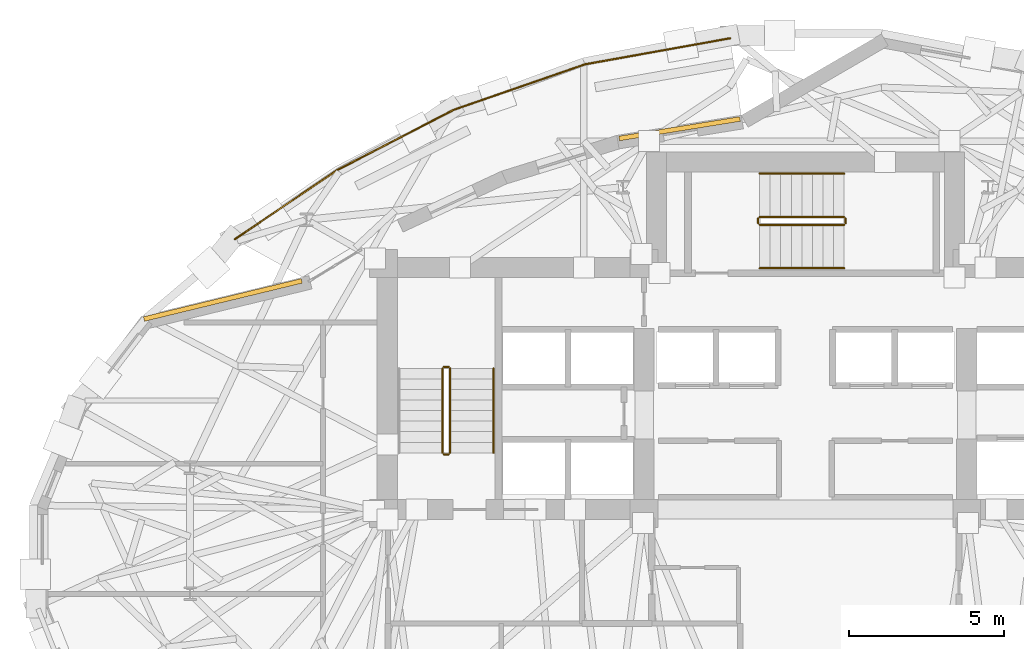
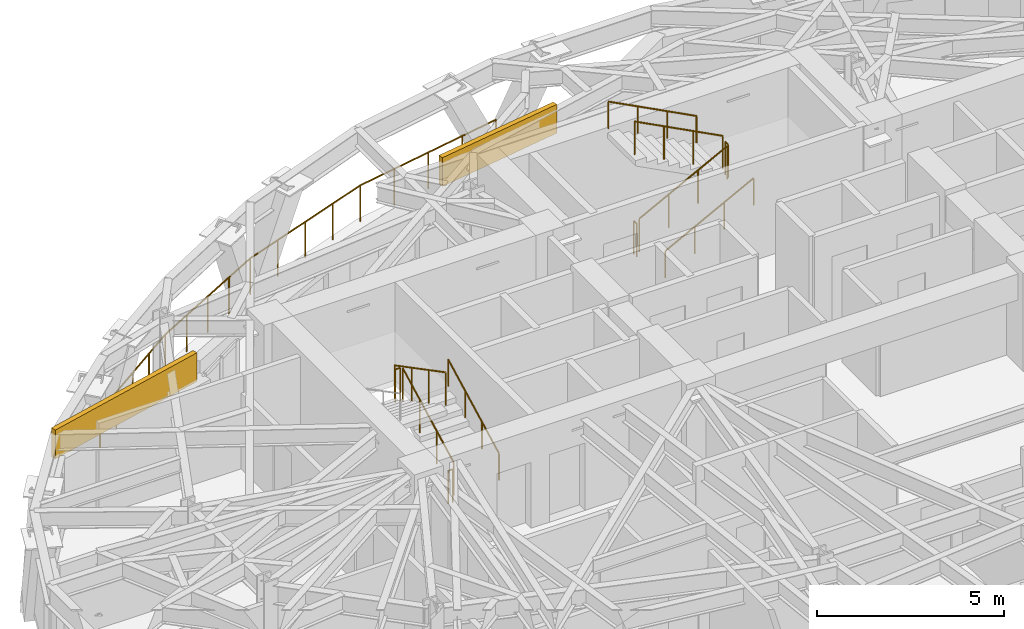
# One storey, part 13 of 14: 12 railings, 2 coverings.
"""IFC4 building model written with IfcOpenShell, lengths in metres."""

from ifc_helpers import new_model, si_unit, direction, frame, origin, origin_2d, place, context, subcontext, project, spatial, rectangle, circle, extrude, material, layer, layer_set, type_object, element, save


model = new_model("IFC4")

# Units and contexts
model_context = context("Model", 3, precision=1e-05, world=origin(), true_north=direction((0.0, 1.0)))
body_context = subcontext(model_context, "Body", "Model", "MODEL_VIEW")
ifc_project = project(units=[si_unit("LENGTHUNIT", "METRE"), si_unit("AREAUNIT", "SQUARE_METRE"), si_unit("VOLUMEUNIT", "CUBIC_METRE"), si_unit("PLANEANGLEUNIT", "RADIAN"), si_unit("MASSUNIT", "GRAM", prefix="KILO")], contexts=[model_context])

# Site, building, storey
site_placement = place(None, origin())
site = spatial("IfcSite", under=ifc_project, at=site_placement, CompositionType="ELEMENT")
building_placement = place(site_placement, origin())
building = spatial("IfcBuilding", under=site, at=building_placement, Name="Keldmark Tower", CompositionType="ELEMENT")
storey_placement = place(building_placement, frame((0.0, 0.0, 175.800048828125)))
storey = spatial("IfcBuildingStorey", under=building, at=storey_placement, Name="L48", CompositionType="ELEMENT", Elevation=175.800048828125)

# Railing
ifc_material_1 = material(Name="DuPont SentryGlas Laminated Glass and Stainless Posts", Category="glass")
railing_type_1 = type_object("IfcRailingType", Name="Heated Laminated Glass Wind-Baffle Guard 1200 mm", PredefinedType="GUARDRAIL", material=ifc_material_1)
railing_1_placement = place(storey_placement, frame((-2.427978515625, 16.711181640625, 0.0)))
element("IfcRailing", 1, at=railing_1_placement, inside=storey, type_object=railing_type_1, Name="L48 Terrace Laminated Glass Wind-Baffle Guard TERR 01", PredefinedType="GUARDRAIL", context=body_context, shape_type="SweptSolid", body=[
    extrude(circle(Radius=0.02392578125, at=origin_2d()), frame((0.0, 0.0, 1.17578125), z_axis=(-0.984266393225, -0.176690880263, 0.0), x_axis=(0.176690880263, -0.984266393225, 0.0)), (0.0, 0.0, 1.0), 4.7490234375),
    extrude(circle(Radius=0.02392578125, at=origin_2d()), frame((-4.67431640625, -0.839111328125, 1.17578125), z_axis=(-0.944742548305, -0.327813235581, 0.0), x_axis=(0.327813235581, -0.944742548305, 0.0)), (0.0, 0.0, 1.0), 4.498291015625),
    extrude(circle(Radius=0.02392578125, at=origin_2d()), frame((-8.924072265625, -2.313720703125, 1.17578125), z_axis=(-0.888036297655, -0.459773350736, 0.0), x_axis=(0.459773350736, -0.888036297655, 0.0)), (0.0, 0.0, 1.0), 4.20703125),
    extrude(circle(Radius=0.02392578125, at=origin_2d()), frame((-12.66015625, -4.248046875, 1.17578125), z_axis=(-0.829052326802, -0.559171028778, 0.0), x_axis=(0.559171028778, -0.829052326802, 0.0)), (0.0, 0.0, 1.0), 3.987548828125),
    extrude(circle(Radius=0.02099609375, at=origin_2d()), origin(), (0.0, 0.0, 1.0), 1.15185546875),
    extrude(circle(Radius=0.02099609375, at=origin_2d()), frame((-1.16845703125, -0.209716796875, 0.0)), (0.0, 0.0, 1.0), 1.15185546875),
    extrude(circle(Radius=0.02099609375, at=origin_2d()), frame((-2.337158203125, -0.41943359375, 0.0)), (0.0, 0.0, 1.0), 1.15185546875),
    extrude(circle(Radius=0.02099609375, at=origin_2d()), frame((-3.505859375, -0.62939453125, 0.0)), (0.0, 0.0, 1.0), 1.15185546875),
    extrude(circle(Radius=0.02099609375, at=origin_2d()), frame((-4.67431640625, -0.839111328125, 0.0)), (0.0, 0.0, 1.0), 1.15185546875),
    extrude(circle(Radius=0.02099609375, at=origin_2d()), frame((-5.73681640625, -1.207763671875, 0.0)), (0.0, 0.0, 1.0), 1.15185546875),
    extrude(circle(Radius=0.02099609375, at=origin_2d()), frame((-6.79931640625, -1.576416015625, 0.0)), (0.0, 0.0, 1.0), 1.15185546875),
    extrude(circle(Radius=0.02099609375, at=origin_2d()), frame((-7.861572265625, -1.945068359375, 0.0)), (0.0, 0.0, 1.0), 1.15185546875),
    extrude(circle(Radius=0.02099609375, at=origin_2d()), frame((-8.924072265625, -2.313720703125, 0.0)), (0.0, 0.0, 1.0), 1.15185546875),
    extrude(circle(Radius=0.02099609375, at=origin_2d()), frame((-9.858154296875, -2.79736328125, 0.0)), (0.0, 0.0, 1.0), 1.15185546875),
    extrude(circle(Radius=0.02099609375, at=origin_2d()), frame((-10.7919921875, -3.28076171875, 0.0)), (0.0, 0.0, 1.0), 1.15185546875),
    extrude(circle(Radius=0.02099609375, at=origin_2d()), frame((-11.72607421875, -3.764404296875, 0.0)), (0.0, 0.0, 1.0), 1.15185546875),
    extrude(circle(Radius=0.02099609375, at=origin_2d()), frame((-12.66015625, -4.248046875, 0.0)), (0.0, 0.0, 1.0), 1.15185546875),
    extrude(circle(Radius=0.02099609375, at=origin_2d()), frame((-13.486572265625, -4.805419921875, 0.0)), (0.0, 0.0, 1.0), 1.15185546875),
    extrude(circle(Radius=0.02099609375, at=origin_2d()), frame((-14.31298828125, -5.36279296875, 0.0)), (0.0, 0.0, 1.0), 1.15185546875),
    extrude(circle(Radius=0.02099609375, at=origin_2d()), frame((-15.1396484375, -5.92041015625, 0.0)), (0.0, 0.0, 1.0), 1.15185546875),
    extrude(circle(Radius=0.02099609375, at=origin_2d()), frame((-15.966064453125, -6.477783203125, 0.0)), (0.0, 0.0, 1.0), 1.15185546875),
])

# Coverings
ifc_material_2 = material(Name="Honed Kasota Buff Dolomitic Limestone", Category="masonry")
ifc_layer = layer(ifc_material_2, 0.074951171875)
ifc_layer_set = layer_set([ifc_layer], Name="Honed Kasota Buff Dolomitic Limestone")
covering_type = type_object("IfcCoveringType", Name="Kasota Buff Limestone Spandrel Cladding Band", PredefinedType="CLADDING", material=ifc_layer_set)
covering_1_placement = place(storey_placement, frame((-4.0546875, 13.79541015625, 2.239013671875), z_axis=(0.0, 0.0, 1.0), x_axis=(-0.987258753922, -0.159123074391, 0.0)))
element("IfcCovering", 2, at=covering_1_placement, inside=storey, type_object=covering_type, Name="L48 Kasota Limestone Spandrel Band 09", PredefinedType="CLADDING", context=body_context, shape_type="SweptSolid", body=[
    extrude(rectangle(XDim=3.941650390625, YDim=0.14990234375, at=origin_2d()), origin(), (0.0, 0.0, 1.0), 0.94091796875),
])
covering_2_placement = place(storey_placement, frame((-18.774658203125, 8.27685546875, 2.239013671875), z_axis=(0.0, 0.0, 1.0), x_axis=(-0.971924052551, -0.235294785478, 0.0)))
element("IfcCovering", 3, at=covering_2_placement, inside=storey, type_object=covering_type, Name="L48 Kasota Limestone Spandrel Band 13", PredefinedType="CLADDING", context=body_context, shape_type="SweptSolid", body=[
    extrude(rectangle(XDim=5.22998046875, YDim=0.14990234375, at=origin_2d()), origin(), (0.0, 0.0, 1.0), 0.94091796875),
])

# Railings
ifc_material_3 = material(Name="Painted Steel ASTM A500 Grade B", Category="steel")
railing_type_2 = type_object("IfcRailingType", Name="Painted Steel Stair Well Guard 1100 mm", PredefinedType="GUARDRAIL", material=ifc_material_3)
railing_2_placement = place(storey_placement, frame((-11.449951171875, 3.35009765625, 0.177734375)))
element("IfcRailing", 4, at=railing_2_placement, inside=storey, type_object=railing_type_2, Name="L48 ST1 stair guard 1", PredefinedType="GUARDRAIL", context=body_context, shape_type="SweptSolid", body=[
    extrude(circle(Radius=0.02392578125, at=origin_2d()), frame((0.0, 0.0, 1.076171875), z_axis=(0.0, 0.886183135912, 0.463335137482), x_axis=(-1.0, 0.0, 0.0)), (0.0, 0.0, 1.0), 3.0693359375),
    extrude(circle(Radius=0.02099609375, at=origin_2d()), origin(), (0.0, 0.0, 1.0), 1.052001953125),
    extrude(circle(Radius=0.02099609375, at=origin_2d()), frame((0.0, 0.90673828125, 0.47412109375)), (0.0, 0.0, 1.0), 1.052001953125),
    extrude(circle(Radius=0.02099609375, at=origin_2d()), frame((0.0, 1.813232421875, 0.947998046875)), (0.0, 0.0, 1.0), 1.052001953125),
    extrude(circle(Radius=0.02099609375, at=origin_2d()), frame((0.0, 2.719970703125, 1.422119140625)), (0.0, 0.0, 1.0), 1.052001953125),
])
railing_3_placement = place(storey_placement, frame((-11.5, 6.1201171875, 1.599853515625)))
element("IfcRailing", 5, at=railing_3_placement, inside=storey, type_object=railing_type_2, Name="L48 ST1 stair guard 2", PredefinedType="GUARDRAIL", context=body_context, shape_type="SweptSolid", body=[
    extrude(circle(Radius=0.02392578125, at=origin_2d()), frame((0.0, 0.0, 1.076171875), z_axis=(-1.0, 0.0, 0.0), x_axis=(0.0, -1.0, 0.0)), (0.0, 0.0, 1.0), 0.14990234375),
    extrude(circle(Radius=0.02099609375, at=origin_2d()), origin(), (0.0, 0.0, 1.0), 1.052001953125),
    extrude(circle(Radius=0.02099609375, at=origin_2d()), frame((-0.14990234375, 0.0, 0.0)), (0.0, 0.0, 1.0), 1.052001953125),
])
railing_4_placement = place(storey_placement, frame((-11.699951171875, 6.070068359375, 1.77783203125)))
element("IfcRailing", 6, at=railing_4_placement, inside=storey, type_object=railing_type_2, Name="L48 ST1 stair guard 3", PredefinedType="GUARDRAIL", context=body_context, shape_type="SweptSolid", body=[
    extrude(circle(Radius=0.02392578125, at=origin_2d()), frame((0.0, 0.0, 1.076171875), z_axis=(0.0, -0.886183135912, 0.463335137482), x_axis=(1.0, 0.0, 0.0)), (0.0, 0.0, 1.0), 3.0693359375),
    extrude(circle(Radius=0.02099609375, at=origin_2d()), origin(), (0.0, 0.0, 1.0), 1.052001953125),
    extrude(circle(Radius=0.02099609375, at=origin_2d()), frame((0.0, -0.90673828125, 0.47412109375)), (0.0, 0.0, 1.0), 1.052001953125),
    extrude(circle(Radius=0.02099609375, at=origin_2d()), frame((0.0, -1.813232421875, 0.947998046875)), (0.0, 0.0, 1.0), 1.052001953125),
    extrude(circle(Radius=0.02099609375, at=origin_2d()), frame((0.0, -2.719970703125, 1.422119140625)), (0.0, 0.0, 1.0), 1.052001953125),
])
railing_5_placement = place(storey_placement, frame((-11.5, 3.300048828125, 0.0)))
element("IfcRailing", 7, at=railing_5_placement, inside=storey, type_object=railing_type_2, Name="L48 ST1 stair guard 4", PredefinedType="GUARDRAIL", context=body_context, shape_type="SweptSolid", body=[
    extrude(circle(Radius=0.02392578125, at=origin_2d()), frame((0.0, 0.0, 1.076171875), z_axis=(-1.0, 0.0, 0.0), x_axis=(0.0, -1.0, 0.0)), (0.0, 0.0, 1.0), 0.14990234375),
    extrude(circle(Radius=0.02099609375, at=origin_2d()), origin(), (0.0, 0.0, 1.0), 1.052001953125),
    extrude(circle(Radius=0.02099609375, at=origin_2d()), frame((-0.14990234375, 0.0, 0.0)), (0.0, 0.0, 1.0), 1.052001953125),
])
railing_6_placement = place(storey_placement, frame((-1.47509765625, 10.699951171875, 0.177734375)))
element("IfcRailing", 8, at=railing_6_placement, inside=storey, type_object=railing_type_2, Name="L48 ST3 stair guard 1", PredefinedType="GUARDRAIL", context=body_context, shape_type="SweptSolid", body=[
    extrude(circle(Radius=0.02392578125, at=origin_2d()), frame((0.0, 0.0, 1.076171875), z_axis=(0.886200210249, 0.0, 0.463302479331), x_axis=(0.0, 1.0, 0.0)), (0.0, 0.0, 1.0), 3.069580078125),
    extrude(circle(Radius=0.02099609375, at=origin_2d()), origin(), (0.0, 0.0, 1.0), 1.052001953125),
    extrude(circle(Radius=0.02099609375, at=origin_2d()), frame((0.90673828125, 0.0, 0.47412109375)), (0.0, 0.0, 1.0), 1.052001953125),
    extrude(circle(Radius=0.02099609375, at=origin_2d()), frame((1.8134765625, 0.0, 0.947998046875)), (0.0, 0.0, 1.0), 1.052001953125),
    extrude(circle(Radius=0.02099609375, at=origin_2d()), frame((2.72021484375, 0.0, 1.422119140625)), (0.0, 0.0, 1.0), 1.052001953125),
])
railing_7_placement = place(storey_placement, frame((1.294921875, 10.75, 1.599853515625)))
element("IfcRailing", 9, at=railing_7_placement, inside=storey, type_object=railing_type_2, Name="L48 ST3 stair guard 2", PredefinedType="GUARDRAIL", context=body_context, shape_type="SweptSolid", body=[
    extrude(circle(Radius=0.02392578125, at=origin_2d()), frame((0.0, 0.0, 1.076171875), z_axis=(0.0, 1.0, 0.0), x_axis=(-1.0, 0.0, 0.0)), (0.0, 0.0, 1.0), 0.14990234375),
    extrude(circle(Radius=0.02099609375, at=origin_2d()), origin(), (0.0, 0.0, 1.0), 1.052001953125),
    extrude(circle(Radius=0.02099609375, at=origin_2d()), frame((0.0, 0.14990234375, 0.0)), (0.0, 0.0, 1.0), 1.052001953125),
])
railing_8_placement = place(storey_placement, frame((1.2451171875, 10.949951171875, 1.77783203125)))
element("IfcRailing", 10, at=railing_8_placement, inside=storey, type_object=railing_type_2, Name="L48 ST3 stair guard 3", PredefinedType="GUARDRAIL", context=body_context, shape_type="SweptSolid", body=[
    extrude(circle(Radius=0.02392578125, at=origin_2d()), frame((0.0, 0.0, 1.076171875), z_axis=(-0.886200210249, 0.0, 0.463302479331), x_axis=(0.0, -1.0, 0.0)), (0.0, 0.0, 1.0), 3.069580078125),
    extrude(circle(Radius=0.02099609375, at=origin_2d()), origin(), (0.0, 0.0, 1.0), 1.052001953125),
    extrude(circle(Radius=0.02099609375, at=origin_2d()), frame((-0.90673828125, 0.0, 0.47412109375)), (0.0, 0.0, 1.0), 1.052001953125),
    extrude(circle(Radius=0.02099609375, at=origin_2d()), frame((-1.8134765625, 0.0, 0.947998046875)), (0.0, 0.0, 1.0), 1.052001953125),
    extrude(circle(Radius=0.02099609375, at=origin_2d()), frame((-2.72021484375, 0.0, 1.422119140625)), (0.0, 0.0, 1.0), 1.052001953125),
])
railing_9_placement = place(storey_placement, frame((-1.52490234375, 10.75, 0.0)))
element("IfcRailing", 11, at=railing_9_placement, inside=storey, type_object=railing_type_2, Name="L48 ST3 stair guard 4", PredefinedType="GUARDRAIL", context=body_context, shape_type="SweptSolid", body=[
    extrude(circle(Radius=0.02392578125, at=origin_2d()), frame((0.0, 0.0, 1.076171875), z_axis=(0.0, 1.0, 0.0), x_axis=(-1.0, 0.0, 0.0)), (0.0, 0.0, 1.0), 0.14990234375),
    extrude(circle(Radius=0.02099609375, at=origin_2d()), origin(), (0.0, 0.0, 1.0), 1.052001953125),
    extrude(circle(Radius=0.02099609375, at=origin_2d()), frame((0.0, 0.14990234375, 0.0)), (0.0, 0.0, 1.0), 1.052001953125),
])
ifc_material_4 = material(Name="Stainless Steel AISI 316L", Category="steel")
railing_type_3 = type_object("IfcRailingType", Name="Stainless Steel Stair Handrail 900 mm", PredefinedType="HANDRAIL", material=ifc_material_4)
railing_10_placement = place(storey_placement, frame((-10.050048828125, 3.35009765625, 0.177734375)))
element("IfcRailing", 12, at=railing_10_placement, inside=storey, type_object=railing_type_3, Name="L48 ST1 stair handrail 1", PredefinedType="HANDRAIL", context=body_context, shape_type="SweptSolid", body=[
    extrude(circle(Radius=0.02392578125, at=origin_2d()), frame((0.0, 0.0, 0.8759765625), z_axis=(0.0, 0.886183135912, 0.463335137482), x_axis=(-1.0, 0.0, 0.0)), (0.0, 0.0, 1.0), 3.0693359375),
    extrude(circle(Radius=0.02099609375, at=origin_2d()), origin(), (0.0, 0.0, 1.0), 0.851806640625),
    extrude(circle(Radius=0.02099609375, at=origin_2d()), frame((0.0, 0.90673828125, 0.47412109375)), (0.0, 0.0, 1.0), 0.851806640625),
    extrude(circle(Radius=0.02099609375, at=origin_2d()), frame((0.0, 1.813232421875, 0.947998046875)), (0.0, 0.0, 1.0), 0.851806640625),
    extrude(circle(Radius=0.02099609375, at=origin_2d()), frame((0.0, 2.719970703125, 1.422119140625)), (0.0, 0.0, 1.0), 0.851806640625),
])
railing_11_placement = place(storey_placement, frame((-1.47509765625, 9.300048828125, 0.177734375)))
element("IfcRailing", 13, at=railing_11_placement, inside=storey, type_object=railing_type_3, Name="L48 ST3 stair handrail 1", PredefinedType="HANDRAIL", context=body_context, shape_type="SweptSolid", body=[
    extrude(circle(Radius=0.02392578125, at=origin_2d()), frame((0.0, 0.0, 0.8759765625), z_axis=(0.886200210249, 0.0, 0.463302479331), x_axis=(0.0, 1.0, 0.0)), (0.0, 0.0, 1.0), 3.069580078125),
    extrude(circle(Radius=0.02099609375, at=origin_2d()), origin(), (0.0, 0.0, 1.0), 0.851806640625),
    extrude(circle(Radius=0.02099609375, at=origin_2d()), frame((0.90673828125, 0.0, 0.47412109375)), (0.0, 0.0, 1.0), 0.851806640625),
    extrude(circle(Radius=0.02099609375, at=origin_2d()), frame((1.8134765625, 0.0, 0.947998046875)), (0.0, 0.0, 1.0), 0.851806640625),
    extrude(circle(Radius=0.02099609375, at=origin_2d()), frame((2.72021484375, 0.0, 1.422119140625)), (0.0, 0.0, 1.0), 0.851806640625),
])
railing_12_placement = place(storey_placement, frame((1.2451171875, 12.35009765625, 1.77783203125)))
element("IfcRailing", 14, at=railing_12_placement, inside=storey, type_object=railing_type_3, Name="L48 ST3 stair handrail 2", PredefinedType="HANDRAIL", context=body_context, shape_type="SweptSolid", body=[
    extrude(circle(Radius=0.02392578125, at=origin_2d()), frame((0.0, 0.0, 0.8759765625), z_axis=(-0.886200210249, 0.0, 0.463302479331), x_axis=(0.0, -1.0, 0.0)), (0.0, 0.0, 1.0), 3.069580078125),
    extrude(circle(Radius=0.02099609375, at=origin_2d()), origin(), (0.0, 0.0, 1.0), 0.851806640625),
    extrude(circle(Radius=0.02099609375, at=origin_2d()), frame((-0.90673828125, 0.0, 0.47412109375)), (0.0, 0.0, 1.0), 0.851806640625),
    extrude(circle(Radius=0.02099609375, at=origin_2d()), frame((-1.8134765625, 0.0, 0.947998046875)), (0.0, 0.0, 1.0), 0.851806640625),
    extrude(circle(Radius=0.02099609375, at=origin_2d()), frame((-2.72021484375, 0.0, 1.422119140625)), (0.0, 0.0, 1.0), 0.851806640625),
])

save(model, "model.ifc")
